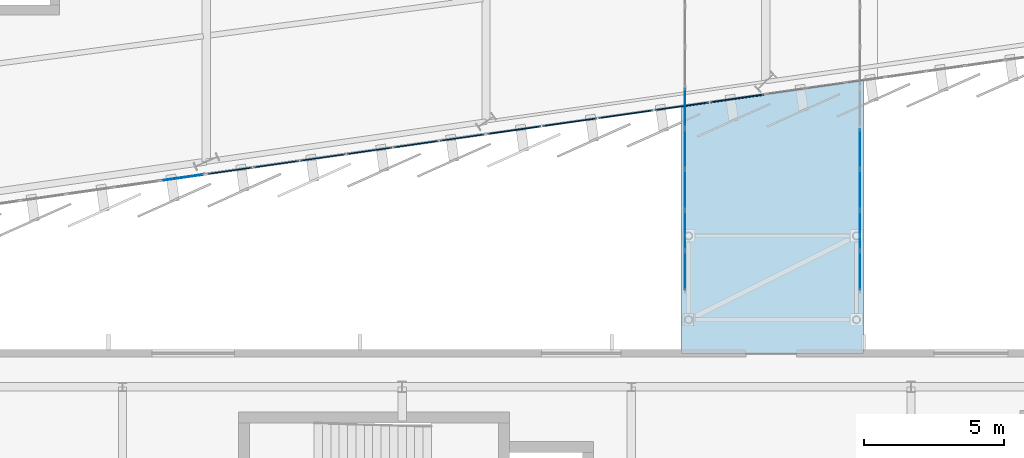
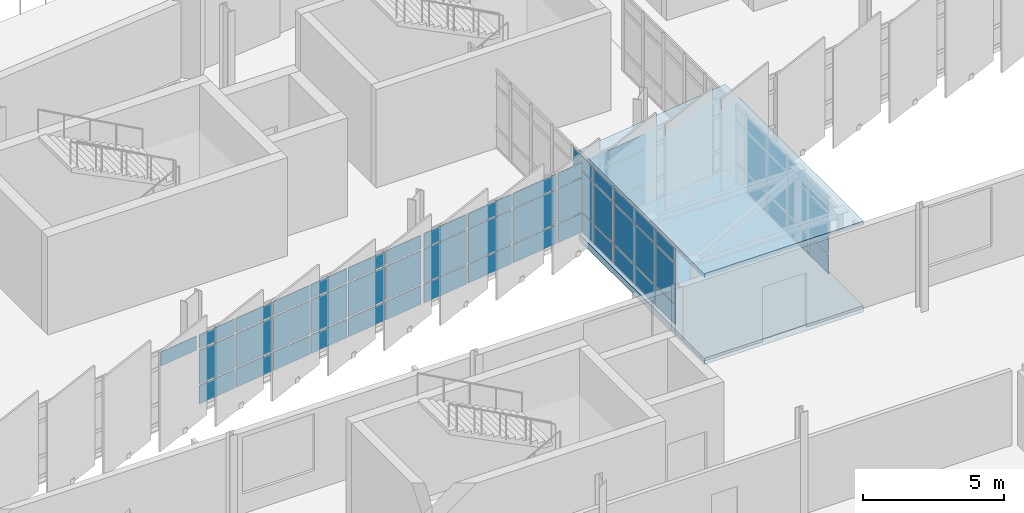
# One storey, part 84 of 125: 61 plates, 2 slabs, 5 elements without a shape of their own.
"""IFC4 building model written with IfcOpenShell, lengths in metres."""

from ifc_helpers import new_model, si_unit, direction, frame, origin, origin_2d, place, context, subcontext, project, spatial, polyline, rectangle, outline, extrude, material, layer, layer_set, type_object, element, aggregate, save


model = new_model("IFC4")

# Units and contexts
model_context = context("Model", 3, precision=1e-05, world=origin(), true_north=direction((0.0, 1.0)))
body_context = subcontext(model_context, "Body", "Model", "MODEL_VIEW")
ifc_project = project(units=[si_unit("LENGTHUNIT", "METRE"), si_unit("AREAUNIT", "SQUARE_METRE"), si_unit("VOLUMEUNIT", "CUBIC_METRE"), si_unit("PLANEANGLEUNIT", "RADIAN"), si_unit("MASSUNIT", "GRAM", prefix="KILO")], contexts=[model_context])

# Site, building, storey
site_placement = place(None, origin())
site = spatial("IfcSite", under=ifc_project, at=site_placement, CompositionType="ELEMENT")
building_placement = place(site_placement, origin())
building = spatial("IfcBuilding", under=site, at=building_placement, Name="Sohan Crest Arena", CompositionType="ELEMENT")
storey_placement = place(building_placement, frame((0.0, 0.0, 9.0)))
storey = spatial("IfcBuildingStorey", under=building, at=storey_placement, Name="L02", CompositionType="ELEMENT", Elevation=9.0)

# Curtain wall, plates
ifc_material_1 = material(Name="Thermally broken anodised aluminium", Category="aluminium")
ifc_layer_1 = layer(ifc_material_1, 0.18994140625, Name="Thermally broken anodised aluminium")
ifc_layer_set_1 = layer_set([ifc_layer_1], Name="Thermally broken anodised aluminium")
curtain_wall_type_1 = type_object("IfcCurtainWallType", Name="ARC-CW05", PredefinedType="NOTDEFINED", material=ifc_layer_set_1)
curtain_wall_1_placement = place(storey_placement, origin())
curtain_wall_1 = element("IfcCurtainWall", 1, at=curtain_wall_1_placement, inside=storey, type_object=curtain_wall_type_1, Name="Unitised curtain wall CW-257", PredefinedType="NOTDEFINED")
ifc_material_2 = material(Name="Low-E double-glazed insulated glass", Category="glass")
ifc_layer_2 = layer(ifc_material_2, 0.028076171875, Name="Low-E double-glazed insulated glass")
ifc_layer_set_2 = layer_set([ifc_layer_2], Name="Low-E double-glazed insulated glass")
plate_type_1 = type_object("IfcPlateType", Name="ARC-CNP01", PredefinedType="CURTAIN_PANEL", material=ifc_layer_set_2)
plate_1_placement = place(storey_placement, frame((135.1201171875, 28.9462890625, 0.06005859375), z_axis=(0.0, 0.0, 1.0), x_axis=(0.0, 1.0, 0.0)))
plate_1 = element("IfcPlate", 2, at=plate_1_placement, type_object=plate_type_1, Name="CW-257 panel 1.1", PredefinedType="CURTAIN_PANEL", context=body_context, shape_type="SweptSolid", body=[
    extrude(rectangle(XDim=1.362548828125, YDim=0.028076171875, at=origin_2d()), origin(), (0.0, 0.0, 1.0), 0.81005859375),
])
plate_2_placement = place(storey_placement, frame((135.1201171875, 28.9462890625, 0.93017578125), z_axis=(0.0, 0.0, 1.0), x_axis=(0.0, 1.0, 0.0)))
plate_2 = element("IfcPlate", 3, at=plate_2_placement, type_object=plate_type_1, Name="CW-257 panel 1.2", PredefinedType="CURTAIN_PANEL", context=body_context, shape_type="SweptSolid", body=[
    extrude(rectangle(XDim=1.362548828125, YDim=0.028076171875, at=origin_2d()), origin(), (0.0, 0.0, 1.0), 1.739990234375),
])
plate_3_placement = place(storey_placement, frame((135.1201171875, 28.9462890625, 2.72998046875), z_axis=(0.0, 0.0, 1.0), x_axis=(0.0, 1.0, 0.0)))
plate_3 = element("IfcPlate", 4, at=plate_3_placement, type_object=plate_type_1, Name="CW-257 panel 1.3", PredefinedType="CURTAIN_PANEL", context=body_context, shape_type="SweptSolid", body=[
    extrude(rectangle(XDim=1.362548828125, YDim=0.028076171875, at=origin_2d()), origin(), (0.0, 0.0, 1.0), 0.610107421875),
])
plate_4_placement = place(storey_placement, frame((135.1201171875, 30.389892578125, 0.06005859375), z_axis=(0.0, 0.0, 1.0), x_axis=(0.0, 1.0, 0.0)))
plate_4 = element("IfcPlate", 5, at=plate_4_placement, type_object=plate_type_1, Name="CW-257 panel 2.1", PredefinedType="CURTAIN_PANEL", context=body_context, shape_type="SweptSolid", body=[
    extrude(rectangle(XDim=1.39501953125, YDim=0.028076171875, at=origin_2d()), origin(), (0.0, 0.0, 1.0), 0.81005859375),
])
plate_5_placement = place(storey_placement, frame((135.1201171875, 30.389892578125, 0.93017578125), z_axis=(0.0, 0.0, 1.0), x_axis=(0.0, 1.0, 0.0)))
plate_5 = element("IfcPlate", 6, at=plate_5_placement, type_object=plate_type_1, Name="CW-257 panel 2.2", PredefinedType="CURTAIN_PANEL", context=body_context, shape_type="SweptSolid", body=[
    extrude(rectangle(XDim=1.39501953125, YDim=0.028076171875, at=origin_2d()), origin(), (0.0, 0.0, 1.0), 1.739990234375),
])
plate_6_placement = place(storey_placement, frame((135.1201171875, 30.389892578125, 2.72998046875), z_axis=(0.0, 0.0, 1.0), x_axis=(0.0, 1.0, 0.0)))
plate_6 = element("IfcPlate", 7, at=plate_6_placement, type_object=plate_type_1, Name="CW-257 panel 2.3", PredefinedType="CURTAIN_PANEL", context=body_context, shape_type="SweptSolid", body=[
    extrude(rectangle(XDim=1.39501953125, YDim=0.028076171875, at=origin_2d()), origin(), (0.0, 0.0, 1.0), 0.610107421875),
])
plate_7_placement = place(storey_placement, frame((135.1201171875, 31.85009765625, 0.06005859375), z_axis=(0.0, 0.0, 1.0), x_axis=(0.0, 1.0, 0.0)))
plate_7 = element("IfcPlate", 8, at=plate_7_placement, type_object=plate_type_1, Name="CW-257 panel 3.1", PredefinedType="CURTAIN_PANEL", context=body_context, shape_type="SweptSolid", body=[
    extrude(rectangle(XDim=1.39501953125, YDim=0.028076171875, at=origin_2d()), origin(), (0.0, 0.0, 1.0), 0.81005859375),
])
plate_8_placement = place(storey_placement, frame((135.1201171875, 31.85009765625, 0.93017578125), z_axis=(0.0, 0.0, 1.0), x_axis=(0.0, 1.0, 0.0)))
plate_8 = element("IfcPlate", 9, at=plate_8_placement, type_object=plate_type_1, Name="CW-257 panel 3.2", PredefinedType="CURTAIN_PANEL", context=body_context, shape_type="SweptSolid", body=[
    extrude(rectangle(XDim=1.39501953125, YDim=0.028076171875, at=origin_2d()), origin(), (0.0, 0.0, 1.0), 1.739990234375),
])
plate_9_placement = place(storey_placement, frame((135.1201171875, 31.85009765625, 2.72998046875), z_axis=(0.0, 0.0, 1.0), x_axis=(0.0, 1.0, 0.0)))
plate_9 = element("IfcPlate", 10, at=plate_9_placement, type_object=plate_type_1, Name="CW-257 panel 3.3", PredefinedType="CURTAIN_PANEL", context=body_context, shape_type="SweptSolid", body=[
    extrude(rectangle(XDim=1.39501953125, YDim=0.028076171875, at=origin_2d()), origin(), (0.0, 0.0, 1.0), 0.610107421875),
])
plate_10_placement = place(storey_placement, frame((135.1201171875, 33.31005859375, 0.06005859375), z_axis=(0.0, 0.0, 1.0), x_axis=(0.0, 1.0, 0.0)))
plate_10 = element("IfcPlate", 11, at=plate_10_placement, type_object=plate_type_1, Name="CW-257 panel 4.1", PredefinedType="CURTAIN_PANEL", context=body_context, shape_type="SweptSolid", body=[
    extrude(rectangle(XDim=1.39501953125, YDim=0.028076171875, at=origin_2d()), origin(), (0.0, 0.0, 1.0), 0.81005859375),
])
plate_11_placement = place(storey_placement, frame((135.1201171875, 33.31005859375, 0.93017578125), z_axis=(0.0, 0.0, 1.0), x_axis=(0.0, 1.0, 0.0)))
plate_11 = element("IfcPlate", 12, at=plate_11_placement, type_object=plate_type_1, Name="CW-257 panel 4.2", PredefinedType="CURTAIN_PANEL", context=body_context, shape_type="SweptSolid", body=[
    extrude(rectangle(XDim=1.39501953125, YDim=0.028076171875, at=origin_2d()), origin(), (0.0, 0.0, 1.0), 1.739990234375),
])
plate_12_placement = place(storey_placement, frame((135.1201171875, 33.31005859375, 2.72998046875), z_axis=(0.0, 0.0, 1.0), x_axis=(0.0, 1.0, 0.0)))
plate_12 = element("IfcPlate", 13, at=plate_12_placement, type_object=plate_type_1, Name="CW-257 panel 4.3", PredefinedType="CURTAIN_PANEL", context=body_context, shape_type="SweptSolid", body=[
    extrude(rectangle(XDim=1.39501953125, YDim=0.028076171875, at=origin_2d()), origin(), (0.0, 0.0, 1.0), 0.610107421875),
])
plate_13_placement = place(storey_placement, frame((135.1201171875, 34.77001953125, 0.06005859375), z_axis=(0.0, 0.0, 1.0), x_axis=(0.0, 1.0, 0.0)))
plate_13 = element("IfcPlate", 14, at=plate_13_placement, type_object=plate_type_1, Name="CW-257 panel 5.1", PredefinedType="CURTAIN_PANEL", context=body_context, shape_type="SweptSolid", body=[
    extrude(rectangle(XDim=1.39501953125, YDim=0.028076171875, at=origin_2d()), origin(), (0.0, 0.0, 1.0), 0.81005859375),
])
plate_14_placement = place(storey_placement, frame((135.1201171875, 34.77001953125, 0.93017578125), z_axis=(0.0, 0.0, 1.0), x_axis=(0.0, 1.0, 0.0)))
plate_14 = element("IfcPlate", 15, at=plate_14_placement, type_object=plate_type_1, Name="CW-257 panel 5.2", PredefinedType="CURTAIN_PANEL", context=body_context, shape_type="SweptSolid", body=[
    extrude(rectangle(XDim=1.39501953125, YDim=0.028076171875, at=origin_2d()), origin(), (0.0, 0.0, 1.0), 1.739990234375),
])
plate_15_placement = place(storey_placement, frame((135.1201171875, 34.77001953125, 2.72998046875), z_axis=(0.0, 0.0, 1.0), x_axis=(0.0, 1.0, 0.0)))
plate_15 = element("IfcPlate", 16, at=plate_15_placement, type_object=plate_type_1, Name="CW-257 panel 5.3", PredefinedType="CURTAIN_PANEL", context=body_context, shape_type="SweptSolid", body=[
    extrude(rectangle(XDim=1.39501953125, YDim=0.028076171875, at=origin_2d()), origin(), (0.0, 0.0, 1.0), 0.610107421875),
])
aggregate(curtain_wall_1, [plate_1, plate_2, plate_3, plate_4, plate_5, plate_6, plate_7, plate_8, plate_9, plate_10, plate_11, plate_12, plate_13, plate_14, plate_15])

curtain_wall_2_placement = place(storey_placement, origin())
curtain_wall_2 = element("IfcCurtainWall", 17, at=curtain_wall_2_placement, inside=storey, type_object=curtain_wall_type_1, Name="Unitised curtain wall CW-258", PredefinedType="NOTDEFINED")
plate_16_placement = place(storey_placement, frame((141.3798828125, 28.9462890625, 0.06005859375), z_axis=(0.0, 0.0, 1.0), x_axis=(0.0, 1.0, 0.0)))
plate_16 = element("IfcPlate", 18, at=plate_16_placement, type_object=plate_type_1, Name="CW-258 panel 1.1", PredefinedType="CURTAIN_PANEL", context=body_context, shape_type="SweptSolid", body=[
    extrude(rectangle(XDim=1.362548828125, YDim=0.028076171875, at=origin_2d()), origin(), (0.0, 0.0, 1.0), 0.81005859375),
])
plate_17_placement = place(storey_placement, frame((141.3798828125, 28.9462890625, 0.93017578125), z_axis=(0.0, 0.0, 1.0), x_axis=(0.0, 1.0, 0.0)))
plate_17 = element("IfcPlate", 19, at=plate_17_placement, type_object=plate_type_1, Name="CW-258 panel 1.2", PredefinedType="CURTAIN_PANEL", context=body_context, shape_type="SweptSolid", body=[
    extrude(rectangle(XDim=1.362548828125, YDim=0.028076171875, at=origin_2d()), origin(), (0.0, 0.0, 1.0), 1.739990234375),
])
plate_18_placement = place(storey_placement, frame((141.3798828125, 28.9462890625, 2.72998046875), z_axis=(0.0, 0.0, 1.0), x_axis=(0.0, 1.0, 0.0)))
plate_18 = element("IfcPlate", 20, at=plate_18_placement, type_object=plate_type_1, Name="CW-258 panel 1.3", PredefinedType="CURTAIN_PANEL", context=body_context, shape_type="SweptSolid", body=[
    extrude(rectangle(XDim=1.362548828125, YDim=0.028076171875, at=origin_2d()), origin(), (0.0, 0.0, 1.0), 0.610107421875),
])
plate_19_placement = place(storey_placement, frame((141.3798828125, 30.389892578125, 0.06005859375), z_axis=(0.0, 0.0, 1.0), x_axis=(0.0, 1.0, 0.0)))
plate_19 = element("IfcPlate", 21, at=plate_19_placement, type_object=plate_type_1, Name="CW-258 panel 2.1", PredefinedType="CURTAIN_PANEL", context=body_context, shape_type="SweptSolid", body=[
    extrude(rectangle(XDim=1.39501953125, YDim=0.028076171875, at=origin_2d()), origin(), (0.0, 0.0, 1.0), 0.81005859375),
])
plate_20_placement = place(storey_placement, frame((141.3798828125, 30.389892578125, 0.93017578125), z_axis=(0.0, 0.0, 1.0), x_axis=(0.0, 1.0, 0.0)))
plate_20 = element("IfcPlate", 22, at=plate_20_placement, type_object=plate_type_1, Name="CW-258 panel 2.2", PredefinedType="CURTAIN_PANEL", context=body_context, shape_type="SweptSolid", body=[
    extrude(rectangle(XDim=1.39501953125, YDim=0.028076171875, at=origin_2d()), origin(), (0.0, 0.0, 1.0), 1.739990234375),
])
plate_21_placement = place(storey_placement, frame((141.3798828125, 30.389892578125, 2.72998046875), z_axis=(0.0, 0.0, 1.0), x_axis=(0.0, 1.0, 0.0)))
plate_21 = element("IfcPlate", 23, at=plate_21_placement, type_object=plate_type_1, Name="CW-258 panel 2.3", PredefinedType="CURTAIN_PANEL", context=body_context, shape_type="SweptSolid", body=[
    extrude(rectangle(XDim=1.39501953125, YDim=0.028076171875, at=origin_2d()), origin(), (0.0, 0.0, 1.0), 0.610107421875),
])
plate_22_placement = place(storey_placement, frame((141.3798828125, 31.85009765625, 0.06005859375), z_axis=(0.0, 0.0, 1.0), x_axis=(0.0, 1.0, 0.0)))
plate_22 = element("IfcPlate", 24, at=plate_22_placement, type_object=plate_type_1, Name="CW-258 panel 3.1", PredefinedType="CURTAIN_PANEL", context=body_context, shape_type="SweptSolid", body=[
    extrude(rectangle(XDim=1.39501953125, YDim=0.028076171875, at=origin_2d()), origin(), (0.0, 0.0, 1.0), 0.81005859375),
])
plate_23_placement = place(storey_placement, frame((141.3798828125, 31.85009765625, 0.93017578125), z_axis=(0.0, 0.0, 1.0), x_axis=(0.0, 1.0, 0.0)))
plate_23 = element("IfcPlate", 25, at=plate_23_placement, type_object=plate_type_1, Name="CW-258 panel 3.2", PredefinedType="CURTAIN_PANEL", context=body_context, shape_type="SweptSolid", body=[
    extrude(rectangle(XDim=1.39501953125, YDim=0.028076171875, at=origin_2d()), origin(), (0.0, 0.0, 1.0), 1.739990234375),
])
plate_24_placement = place(storey_placement, frame((141.3798828125, 31.85009765625, 2.72998046875), z_axis=(0.0, 0.0, 1.0), x_axis=(0.0, 1.0, 0.0)))
plate_24 = element("IfcPlate", 26, at=plate_24_placement, type_object=plate_type_1, Name="CW-258 panel 3.3", PredefinedType="CURTAIN_PANEL", context=body_context, shape_type="SweptSolid", body=[
    extrude(rectangle(XDim=1.39501953125, YDim=0.028076171875, at=origin_2d()), origin(), (0.0, 0.0, 1.0), 0.610107421875),
])
plate_25_placement = place(storey_placement, frame((141.3798828125, 33.31005859375, 0.06005859375), z_axis=(0.0, 0.0, 1.0), x_axis=(0.0, 1.0, 0.0)))
plate_25 = element("IfcPlate", 27, at=plate_25_placement, type_object=plate_type_1, Name="CW-258 panel 4.1", PredefinedType="CURTAIN_PANEL", context=body_context, shape_type="SweptSolid", body=[
    extrude(rectangle(XDim=1.39501953125, YDim=0.028076171875, at=origin_2d()), origin(), (0.0, 0.0, 1.0), 0.81005859375),
])
plate_26_placement = place(storey_placement, frame((141.3798828125, 33.31005859375, 0.93017578125), z_axis=(0.0, 0.0, 1.0), x_axis=(0.0, 1.0, 0.0)))
plate_26 = element("IfcPlate", 28, at=plate_26_placement, type_object=plate_type_1, Name="CW-258 panel 4.2", PredefinedType="CURTAIN_PANEL", context=body_context, shape_type="SweptSolid", body=[
    extrude(rectangle(XDim=1.39501953125, YDim=0.028076171875, at=origin_2d()), origin(), (0.0, 0.0, 1.0), 1.739990234375),
])
plate_27_placement = place(storey_placement, frame((141.3798828125, 33.31005859375, 2.72998046875), z_axis=(0.0, 0.0, 1.0), x_axis=(0.0, 1.0, 0.0)))
plate_27 = element("IfcPlate", 29, at=plate_27_placement, type_object=plate_type_1, Name="CW-258 panel 4.3", PredefinedType="CURTAIN_PANEL", context=body_context, shape_type="SweptSolid", body=[
    extrude(rectangle(XDim=1.39501953125, YDim=0.028076171875, at=origin_2d()), origin(), (0.0, 0.0, 1.0), 0.610107421875),
])
aggregate(curtain_wall_2, [plate_16, plate_17, plate_18, plate_19, plate_20, plate_21, plate_22, plate_23, plate_24, plate_25, plate_26, plate_27])

# Curtain wall, plate
ifc_layer_3 = layer(ifc_material_1, 0.199951171875, Name="Thermally broken anodised aluminium")
ifc_layer_set_3 = layer_set([ifc_layer_3], Name="Thermally broken anodised aluminium")
curtain_wall_type_2 = type_object("IfcCurtainWallType", Name="ARC-CW02", PredefinedType="NOTDEFINED", material=ifc_layer_set_3)
curtain_wall_3_placement = place(storey_placement, origin())
curtain_wall_3 = element("IfcCurtainWall", 30, at=curtain_wall_3_placement, inside=storey, type_object=curtain_wall_type_2, Name="Unitised curtain wall CW-061", PredefinedType="NOTDEFINED")
ifc_layer_4 = layer(ifc_material_2, 0.031982421875, Name="Low-E double-glazed insulated glass")
ifc_layer_set_4 = layer_set([ifc_layer_4], Name="Low-E double-glazed insulated glass")
plate_type_2 = type_object("IfcPlateType", Name="ARC-CNP02", PredefinedType="CURTAIN_PANEL", material=ifc_layer_set_4)
plate_28_placement = place(storey_placement, frame((117.150634765625, 32.28564453125, 2.452392578125), z_axis=(0.0, 0.0, 1.0), x_axis=(0.989957411768, 0.141365918403, 0.0)))
plate_28 = element("IfcPlate", 31, at=plate_28_placement, type_object=plate_type_2, Name="CW-061 panel 6.3", PredefinedType="CURTAIN_PANEL", context=body_context, shape_type="SweptSolid", body=[
    extrude(rectangle(XDim=1.586181640625, YDim=0.031982421875, at=origin_2d()), origin(), (0.0, 0.0, 1.0), 0.6025390625),
])
aggregate(curtain_wall_3, [plate_28])

# Curtain wall, plates
ifc_layer_5 = layer(ifc_material_1, 0.219970703125, Name="Thermally broken anodised aluminium")
ifc_layer_set_5 = layer_set([ifc_layer_5], Name="Thermally broken anodised aluminium")
curtain_wall_type_3 = type_object("IfcCurtainWallType", Name="ARC-CW03", PredefinedType="NOTDEFINED", material=ifc_layer_set_5)
curtain_wall_4_placement = place(storey_placement, origin())
curtain_wall_4 = element("IfcCurtainWall", 32, at=curtain_wall_4_placement, inside=storey, type_object=curtain_wall_type_3, Name="Unitised curtain wall CW-062", PredefinedType="NOTDEFINED")
ifc_material_3 = material(Name="Ceramic-fritted solar-control insulated glass", Category="glass")
ifc_layer_6 = layer(ifc_material_3, 0.035888671875, Name="Ceramic-fritted solar-control insulated glass")
ifc_layer_set_6 = layer_set([ifc_layer_6], Name="Ceramic-fritted solar-control insulated glass")
plate_type_3 = type_object("IfcPlateType", Name="ARC-CNP03", PredefinedType="CURTAIN_PANEL", material=ifc_layer_set_6)
plate_29_placement = place(storey_placement, frame((118.8505859375, 32.528564453125, 0.070068359375), z_axis=(0.0, 0.0, 1.0), x_axis=(0.989943553128, 0.141462933734, 0.0)))
plate_29 = element("IfcPlate", 33, at=plate_29_placement, type_object=plate_type_3, Name="CW-062 panel 1.1", PredefinedType="CURTAIN_PANEL", context=body_context, shape_type="SweptSolid", body=[
    extrude(rectangle(XDim=1.57861328125, YDim=0.035888671875, at=origin_2d()), origin(), (0.0, 0.0, 1.0), 0.794921875),
])
plate_30_placement = place(storey_placement, frame((118.8505859375, 32.528564453125, 0.93505859375), z_axis=(0.0, 0.0, 1.0), x_axis=(0.989943553128, 0.141462933734, 0.0)))
plate_30 = element("IfcPlate", 34, at=plate_30_placement, type_object=plate_type_3, Name="CW-062 panel 1.2", PredefinedType="CURTAIN_PANEL", context=body_context, shape_type="SweptSolid", body=[
    extrude(rectangle(XDim=1.57861328125, YDim=0.035888671875, at=origin_2d()), origin(), (0.0, 0.0, 1.0), 1.449951171875),
])
plate_31_placement = place(storey_placement, frame((118.8505859375, 32.528564453125, 2.455078125), z_axis=(0.0, 0.0, 1.0), x_axis=(0.989943553128, 0.141462933734, 0.0)))
plate_31 = element("IfcPlate", 35, at=plate_31_placement, type_object=plate_type_3, Name="CW-062 panel 1.3", PredefinedType="CURTAIN_PANEL", context=body_context, shape_type="SweptSolid", body=[
    extrude(rectangle(XDim=1.57861328125, YDim=0.035888671875, at=origin_2d()), origin(), (0.0, 0.0, 1.0), 0.594970703125),
])
plate_32_placement = place(storey_placement, frame((120.5, 32.76416015625, 0.070068359375), z_axis=(0.0, 0.0, 1.0), x_axis=(0.989943553128, 0.141462933734, 0.0)))
plate_32 = element("IfcPlate", 36, at=plate_32_placement, type_object=plate_type_3, Name="CW-062 panel 2.1", PredefinedType="CURTAIN_PANEL", context=body_context, shape_type="SweptSolid", body=[
    extrude(rectangle(XDim=1.613525390625, YDim=0.035888671875, at=origin_2d()), origin(), (0.0, 0.0, 1.0), 0.794921875),
])
plate_33_placement = place(storey_placement, frame((120.5, 32.76416015625, 0.93505859375), z_axis=(0.0, 0.0, 1.0), x_axis=(0.989943553128, 0.141462933734, 0.0)))
plate_33 = element("IfcPlate", 37, at=plate_33_placement, type_object=plate_type_3, Name="CW-062 panel 2.2", PredefinedType="CURTAIN_PANEL", context=body_context, shape_type="SweptSolid", body=[
    extrude(rectangle(XDim=1.613525390625, YDim=0.035888671875, at=origin_2d()), origin(), (0.0, 0.0, 1.0), 1.449951171875),
])
plate_34_placement = place(storey_placement, frame((120.5, 32.76416015625, 2.455078125), z_axis=(0.0, 0.0, 1.0), x_axis=(0.989943553128, 0.141462933734, 0.0)))
plate_34 = element("IfcPlate", 38, at=plate_34_placement, type_object=plate_type_3, Name="CW-062 panel 2.3", PredefinedType="CURTAIN_PANEL", context=body_context, shape_type="SweptSolid", body=[
    extrude(rectangle(XDim=1.613525390625, YDim=0.035888671875, at=origin_2d()), origin(), (0.0, 0.0, 1.0), 0.594970703125),
])
plate_35_placement = place(storey_placement, frame((122.166748046875, 33.00244140625, 0.070068359375), z_axis=(0.0, 0.0, 1.0), x_axis=(0.989943553128, 0.141462933734, 0.0)))
plate_35 = element("IfcPlate", 39, at=plate_35_placement, type_object=plate_type_3, Name="CW-062 panel 3.1", PredefinedType="CURTAIN_PANEL", context=body_context, shape_type="SweptSolid", body=[
    extrude(rectangle(XDim=1.613525390625, YDim=0.035888671875, at=origin_2d()), origin(), (0.0, 0.0, 1.0), 0.794921875),
])
plate_36_placement = place(storey_placement, frame((122.166748046875, 33.00244140625, 0.93505859375), z_axis=(0.0, 0.0, 1.0), x_axis=(0.989943553128, 0.141462933734, 0.0)))
plate_36 = element("IfcPlate", 40, at=plate_36_placement, type_object=plate_type_3, Name="CW-062 panel 3.2", PredefinedType="CURTAIN_PANEL", context=body_context, shape_type="SweptSolid", body=[
    extrude(rectangle(XDim=1.613525390625, YDim=0.035888671875, at=origin_2d()), origin(), (0.0, 0.0, 1.0), 1.449951171875),
])
plate_37_placement = place(storey_placement, frame((122.166748046875, 33.00244140625, 2.455078125), z_axis=(0.0, 0.0, 1.0), x_axis=(0.989943553128, 0.141462933734, 0.0)))
plate_37 = element("IfcPlate", 41, at=plate_37_placement, type_object=plate_type_3, Name="CW-062 panel 3.3", PredefinedType="CURTAIN_PANEL", context=body_context, shape_type="SweptSolid", body=[
    extrude(rectangle(XDim=1.613525390625, YDim=0.035888671875, at=origin_2d()), origin(), (0.0, 0.0, 1.0), 0.594970703125),
])
plate_38_placement = place(storey_placement, frame((123.833251953125, 33.240478515625, 0.070068359375), z_axis=(0.0, 0.0, 1.0), x_axis=(0.989943553128, 0.141462933734, 0.0)))
plate_38 = element("IfcPlate", 42, at=plate_38_placement, type_object=plate_type_3, Name="CW-062 panel 4.1", PredefinedType="CURTAIN_PANEL", context=body_context, shape_type="SweptSolid", body=[
    extrude(rectangle(XDim=1.613525390625, YDim=0.035888671875, at=origin_2d()), origin(), (0.0, 0.0, 1.0), 0.794921875),
])
plate_39_placement = place(storey_placement, frame((123.833251953125, 33.240478515625, 0.93505859375), z_axis=(0.0, 0.0, 1.0), x_axis=(0.989943553128, 0.141462933734, 0.0)))
plate_39 = element("IfcPlate", 43, at=plate_39_placement, type_object=plate_type_3, Name="CW-062 panel 4.2", PredefinedType="CURTAIN_PANEL", context=body_context, shape_type="SweptSolid", body=[
    extrude(rectangle(XDim=1.613525390625, YDim=0.035888671875, at=origin_2d()), origin(), (0.0, 0.0, 1.0), 1.449951171875),
])
plate_40_placement = place(storey_placement, frame((123.833251953125, 33.240478515625, 2.455078125), z_axis=(0.0, 0.0, 1.0), x_axis=(0.989943553128, 0.141462933734, 0.0)))
plate_40 = element("IfcPlate", 44, at=plate_40_placement, type_object=plate_type_3, Name="CW-062 panel 4.3", PredefinedType="CURTAIN_PANEL", context=body_context, shape_type="SweptSolid", body=[
    extrude(rectangle(XDim=1.613525390625, YDim=0.035888671875, at=origin_2d()), origin(), (0.0, 0.0, 1.0), 0.594970703125),
])
plate_41_placement = place(storey_placement, frame((125.5, 33.478759765625, 0.070068359375), z_axis=(0.0, 0.0, 1.0), x_axis=(0.989943553128, 0.141462933734, 0.0)))
plate_41 = element("IfcPlate", 45, at=plate_41_placement, type_object=plate_type_3, Name="CW-062 panel 5.1", PredefinedType="CURTAIN_PANEL", context=body_context, shape_type="SweptSolid", body=[
    extrude(rectangle(XDim=1.613525390625, YDim=0.035888671875, at=origin_2d()), origin(), (0.0, 0.0, 1.0), 0.794921875),
])
plate_42_placement = place(storey_placement, frame((125.5, 33.478759765625, 0.93505859375), z_axis=(0.0, 0.0, 1.0), x_axis=(0.989943553128, 0.141462933734, 0.0)))
plate_42 = element("IfcPlate", 46, at=plate_42_placement, type_object=plate_type_3, Name="CW-062 panel 5.2", PredefinedType="CURTAIN_PANEL", context=body_context, shape_type="SweptSolid", body=[
    extrude(rectangle(XDim=1.613525390625, YDim=0.035888671875, at=origin_2d()), origin(), (0.0, 0.0, 1.0), 1.449951171875),
])
plate_43_placement = place(storey_placement, frame((125.5, 33.478759765625, 2.455078125), z_axis=(0.0, 0.0, 1.0), x_axis=(0.989943553128, 0.141462933734, 0.0)))
plate_43 = element("IfcPlate", 47, at=plate_43_placement, type_object=plate_type_3, Name="CW-062 panel 5.3", PredefinedType="CURTAIN_PANEL", context=body_context, shape_type="SweptSolid", body=[
    extrude(rectangle(XDim=1.613525390625, YDim=0.035888671875, at=origin_2d()), origin(), (0.0, 0.0, 1.0), 0.594970703125),
])
plate_44_placement = place(storey_placement, frame((127.1494140625, 33.71435546875, 0.070068359375), z_axis=(0.0, 0.0, 1.0), x_axis=(0.989943553128, 0.141462933734, 0.0)))
plate_44 = element("IfcPlate", 48, at=plate_44_placement, type_object=plate_type_3, Name="CW-062 panel 6.1", PredefinedType="CURTAIN_PANEL", context=body_context, shape_type="SweptSolid", body=[
    extrude(rectangle(XDim=1.57861328125, YDim=0.035888671875, at=origin_2d()), origin(), (0.0, 0.0, 1.0), 0.794921875),
])
plate_45_placement = place(storey_placement, frame((127.1494140625, 33.71435546875, 0.93505859375), z_axis=(0.0, 0.0, 1.0), x_axis=(0.989943553128, 0.141462933734, 0.0)))
plate_45 = element("IfcPlate", 49, at=plate_45_placement, type_object=plate_type_3, Name="CW-062 panel 6.2", PredefinedType="CURTAIN_PANEL", context=body_context, shape_type="SweptSolid", body=[
    extrude(rectangle(XDim=1.57861328125, YDim=0.035888671875, at=origin_2d()), origin(), (0.0, 0.0, 1.0), 1.449951171875),
])
plate_46_placement = place(storey_placement, frame((127.1494140625, 33.71435546875, 2.455078125), z_axis=(0.0, 0.0, 1.0), x_axis=(0.989943553128, 0.141462933734, 0.0)))
plate_46 = element("IfcPlate", 50, at=plate_46_placement, type_object=plate_type_3, Name="CW-062 panel 6.3", PredefinedType="CURTAIN_PANEL", context=body_context, shape_type="SweptSolid", body=[
    extrude(rectangle(XDim=1.57861328125, YDim=0.035888671875, at=origin_2d()), origin(), (0.0, 0.0, 1.0), 0.594970703125),
])
aggregate(curtain_wall_4, [plate_29, plate_30, plate_31, plate_32, plate_33, plate_34, plate_35, plate_36, plate_37, plate_38, plate_39, plate_40, plate_41, plate_42, plate_43, plate_44, plate_45, plate_46])

ifc_layer_7 = layer(ifc_material_1, 0.239990234375, Name="Thermally broken anodised aluminium")
ifc_layer_set_7 = layer_set([ifc_layer_7], Name="Thermally broken anodised aluminium")
curtain_wall_type_4 = type_object("IfcCurtainWallType", Name="ARC-CW04", PredefinedType="NOTDEFINED", material=ifc_layer_set_7)
curtain_wall_5_placement = place(storey_placement, origin())
curtain_wall_5 = element("IfcCurtainWall", 51, at=curtain_wall_5_placement, inside=storey, type_object=curtain_wall_type_4, Name="Unitised curtain wall CW-063", PredefinedType="NOTDEFINED")
ifc_material_4 = material(Name="Insulated polychrome ceramic spandrel panel", Category="masonry")
ifc_layer_8 = layer(ifc_material_4, 0.0419921875, Name="Insulated polychrome ceramic spandrel panel")
ifc_layer_set_8 = layer_set([ifc_layer_8], Name="Insulated polychrome ceramic spandrel panel")
plate_type_4 = type_object("IfcPlateType", Name="ARC-CNP04", PredefinedType="CURTAIN_PANEL", material=ifc_layer_set_8)
plate_47_placement = place(storey_placement, frame((129.0185546875, 33.9814453125, 0.06005859375), z_axis=(0.0, 0.0, 1.0), x_axis=(0.989957411768, 0.141365918403, 0.0)))
plate_47 = element("IfcPlate", 52, at=plate_47_placement, type_object=plate_type_4, Name="CW-063 panel 1.1", PredefinedType="CURTAIN_PANEL", context=body_context, shape_type="SweptSolid", body=[
    extrude(rectangle(XDim=1.90771484375, YDim=0.0419921875, at=origin_2d()), origin(), (0.0, 0.0, 1.0), 0.81005859375),
])
plate_48_placement = place(storey_placement, frame((129.0185546875, 33.9814453125, 0.929931640625), z_axis=(0.0, 0.0, 1.0), x_axis=(0.989957411768, 0.141365918403, 0.0)))
plate_48 = element("IfcPlate", 53, at=plate_48_placement, type_object=plate_type_4, Name="CW-063 panel 1.2", PredefinedType="CURTAIN_PANEL", context=body_context, shape_type="SweptSolid", body=[
    extrude(rectangle(XDim=1.90771484375, YDim=0.0419921875, at=origin_2d()), origin(), (0.0, 0.0, 1.0), 1.4599609375),
])
plate_49_placement = place(storey_placement, frame((129.0185546875, 33.9814453125, 2.44970703125), z_axis=(0.0, 0.0, 1.0), x_axis=(0.989957411768, 0.141365918403, 0.0)))
plate_49 = element("IfcPlate", 54, at=plate_49_placement, type_object=plate_type_4, Name="CW-063 panel 1.3", PredefinedType="CURTAIN_PANEL", context=body_context, shape_type="SweptSolid", body=[
    extrude(rectangle(XDim=1.90771484375, YDim=0.0419921875, at=origin_2d()), origin(), (0.0, 0.0, 1.0), 0.610107421875),
])
plate_50_placement = place(storey_placement, frame((131.0, 34.264404296875, 0.06005859375), z_axis=(0.0, 0.0, 1.0), x_axis=(0.989957411768, 0.141365918403, 0.0)))
plate_50 = element("IfcPlate", 55, at=plate_50_placement, type_object=plate_type_4, Name="CW-063 panel 2.1", PredefinedType="CURTAIN_PANEL", context=body_context, shape_type="SweptSolid", body=[
    extrude(rectangle(XDim=1.9453125, YDim=0.0419921875, at=origin_2d()), origin(), (0.0, 0.0, 1.0), 0.81005859375),
])
plate_51_placement = place(storey_placement, frame((131.0, 34.264404296875, 0.929931640625), z_axis=(0.0, 0.0, 1.0), x_axis=(0.989957411768, 0.141365918403, 0.0)))
plate_51 = element("IfcPlate", 56, at=plate_51_placement, type_object=plate_type_4, Name="CW-063 panel 2.2", PredefinedType="CURTAIN_PANEL", context=body_context, shape_type="SweptSolid", body=[
    extrude(rectangle(XDim=1.9453125, YDim=0.0419921875, at=origin_2d()), origin(), (0.0, 0.0, 1.0), 1.4599609375),
])
plate_52_placement = place(storey_placement, frame((131.0, 34.264404296875, 2.44970703125), z_axis=(0.0, 0.0, 1.0), x_axis=(0.989957411768, 0.141365918403, 0.0)))
plate_52 = element("IfcPlate", 57, at=plate_52_placement, type_object=plate_type_4, Name="CW-063 panel 2.3", PredefinedType="CURTAIN_PANEL", context=body_context, shape_type="SweptSolid", body=[
    extrude(rectangle(XDim=1.9453125, YDim=0.0419921875, at=origin_2d()), origin(), (0.0, 0.0, 1.0), 0.610107421875),
])
plate_53_placement = place(storey_placement, frame((133.0, 34.550048828125, 0.06005859375), z_axis=(0.0, 0.0, 1.0), x_axis=(0.989957411768, 0.141365918403, 0.0)))
plate_53 = element("IfcPlate", 58, at=plate_53_placement, type_object=plate_type_4, Name="CW-063 panel 3.1", PredefinedType="CURTAIN_PANEL", context=body_context, shape_type="SweptSolid", body=[
    extrude(rectangle(XDim=1.9453125, YDim=0.0419921875, at=origin_2d()), origin(), (0.0, 0.0, 1.0), 0.81005859375),
])
plate_54_placement = place(storey_placement, frame((133.0, 34.550048828125, 0.929931640625), z_axis=(0.0, 0.0, 1.0), x_axis=(0.989957411768, 0.141365918403, 0.0)))
plate_54 = element("IfcPlate", 59, at=plate_54_placement, type_object=plate_type_4, Name="CW-063 panel 3.2", PredefinedType="CURTAIN_PANEL", context=body_context, shape_type="SweptSolid", body=[
    extrude(rectangle(XDim=1.9453125, YDim=0.0419921875, at=origin_2d()), origin(), (0.0, 0.0, 1.0), 1.4599609375),
])
plate_55_placement = place(storey_placement, frame((133.0, 34.550048828125, 2.44970703125), z_axis=(0.0, 0.0, 1.0), x_axis=(0.989957411768, 0.141365918403, 0.0)))
plate_55 = element("IfcPlate", 60, at=plate_55_placement, type_object=plate_type_4, Name="CW-063 panel 3.3", PredefinedType="CURTAIN_PANEL", context=body_context, shape_type="SweptSolid", body=[
    extrude(rectangle(XDim=1.9453125, YDim=0.0419921875, at=origin_2d()), origin(), (0.0, 0.0, 1.0), 0.610107421875),
])
plate_56_placement = place(storey_placement, frame((135.0, 34.835693359375, 0.06005859375), z_axis=(0.0, 0.0, 1.0), x_axis=(0.989957411768, 0.141365918403, 0.0)))
plate_56 = element("IfcPlate", 61, at=plate_56_placement, type_object=plate_type_4, Name="CW-063 panel 4.1", PredefinedType="CURTAIN_PANEL", context=body_context, shape_type="SweptSolid", body=[
    extrude(rectangle(XDim=1.9453125, YDim=0.0419921875, at=origin_2d()), origin(), (0.0, 0.0, 1.0), 0.81005859375),
])
plate_57_placement = place(storey_placement, frame((135.0, 34.835693359375, 0.929931640625), z_axis=(0.0, 0.0, 1.0), x_axis=(0.989957411768, 0.141365918403, 0.0)))
plate_57 = element("IfcPlate", 62, at=plate_57_placement, type_object=plate_type_4, Name="CW-063 panel 4.2", PredefinedType="CURTAIN_PANEL", context=body_context, shape_type="SweptSolid", body=[
    extrude(rectangle(XDim=1.9453125, YDim=0.0419921875, at=origin_2d()), origin(), (0.0, 0.0, 1.0), 1.4599609375),
])
plate_58_placement = place(storey_placement, frame((135.0, 34.835693359375, 2.44970703125), z_axis=(0.0, 0.0, 1.0), x_axis=(0.989957411768, 0.141365918403, 0.0)))
plate_58 = element("IfcPlate", 63, at=plate_58_placement, type_object=plate_type_4, Name="CW-063 panel 4.3", PredefinedType="CURTAIN_PANEL", context=body_context, shape_type="SweptSolid", body=[
    extrude(rectangle(XDim=1.9453125, YDim=0.0419921875, at=origin_2d()), origin(), (0.0, 0.0, 1.0), 0.610107421875),
])
plate_59_placement = place(storey_placement, frame((136.9814453125, 35.11865234375, 0.06005859375), z_axis=(0.0, 0.0, 1.0), x_axis=(0.989957411768, 0.141365918403, 0.0)))
plate_59 = element("IfcPlate", 64, at=plate_59_placement, type_object=plate_type_4, Name="CW-063 panel 5.1", PredefinedType="CURTAIN_PANEL", context=body_context, shape_type="SweptSolid", body=[
    extrude(rectangle(XDim=1.90771484375, YDim=0.0419921875, at=origin_2d()), origin(), (0.0, 0.0, 1.0), 0.81005859375),
])
plate_60_placement = place(storey_placement, frame((136.9814453125, 35.11865234375, 0.929931640625), z_axis=(0.0, 0.0, 1.0), x_axis=(0.989957411768, 0.141365918403, 0.0)))
plate_60 = element("IfcPlate", 65, at=plate_60_placement, type_object=plate_type_4, Name="CW-063 panel 5.2", PredefinedType="CURTAIN_PANEL", context=body_context, shape_type="SweptSolid", body=[
    extrude(rectangle(XDim=1.90771484375, YDim=0.0419921875, at=origin_2d()), origin(), (0.0, 0.0, 1.0), 1.4599609375),
])
plate_61_placement = place(storey_placement, frame((136.9814453125, 35.11865234375, 2.44970703125), z_axis=(0.0, 0.0, 1.0), x_axis=(0.989957411768, 0.141365918403, 0.0)))
plate_61 = element("IfcPlate", 66, at=plate_61_placement, type_object=plate_type_4, Name="CW-063 panel 5.3", PredefinedType="CURTAIN_PANEL", context=body_context, shape_type="SweptSolid", body=[
    extrude(rectangle(XDim=1.90771484375, YDim=0.0419921875, at=origin_2d()), origin(), (0.0, 0.0, 1.0), 0.610107421875),
])
aggregate(curtain_wall_5, [plate_47, plate_48, plate_49, plate_50, plate_51, plate_52, plate_53, plate_54, plate_55, plate_56, plate_57, plate_58, plate_59, plate_60, plate_61])

# Slabs
ifc_material_5 = material(Name="Concrete C40/50", Category="concrete")
ifc_layer_9 = layer(ifc_material_5, 0.27490234375, Name="Concrete C40/50")
ifc_layer_set_9 = layer_set([ifc_layer_9], Name="Concrete C40/50")
slab_type_1 = type_object("IfcSlabType", Name="SL-FLR4", PredefinedType="FLOOR", material=ifc_layer_set_9)
slab_1_placement = place(storey_placement, frame((0.0, 0.0, -0.27490234375)))
element("IfcSlab", 67, at=slab_1_placement, inside=storey, type_object=slab_type_1, Name="Covered bridge BR-S2 L02 deck SL-BR-S2-L02", PredefinedType="FLOOR", context=body_context, shape_type="SweptSolid", body=[
    extrude(outline(polyline([(141.5, 26.0), (135.0, 26.0), (135.0, 34.8359375), (141.5, 35.763916015625), (141.5, 26.0)])), origin(), (0.0, 0.0, 1.0), 0.27490234375),
])
ifc_layer_10 = layer(ifc_material_5, 0.175048828125, Name="Concrete C40/50")
ifc_layer_set_10 = layer_set([ifc_layer_10], Name="Concrete C40/50")
slab_type_2 = type_object("IfcSlabType", Name="SL-RF01", PredefinedType="ROOF", material=ifc_layer_set_10)
slab_2_placement = place(storey_placement, frame((0.0, 0.0, 3.47509765625)))
element("IfcSlab", 68, at=slab_2_placement, inside=storey, type_object=slab_type_2, Name="Covered bridge BR-S2 roof RF-BR-S2", PredefinedType="ROOF", context=body_context, shape_type="SweptSolid", body=[
    extrude(outline(polyline([(141.5, 26.0), (135.0, 26.0), (135.0, 34.8359375), (141.5, 35.763916015625), (141.5, 26.0)])), origin(), (0.0, 0.0, 1.0), 0.1748046875),
])

save(model, "model.ifc")
